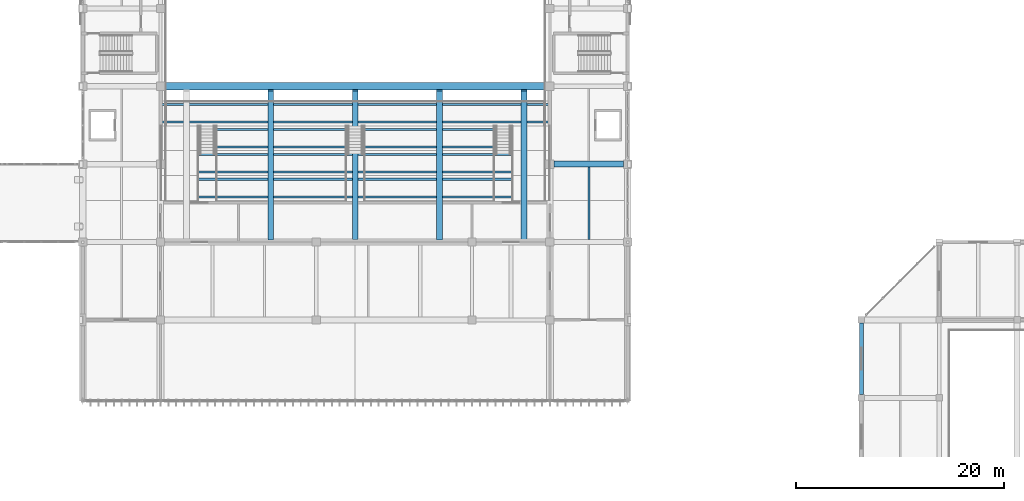
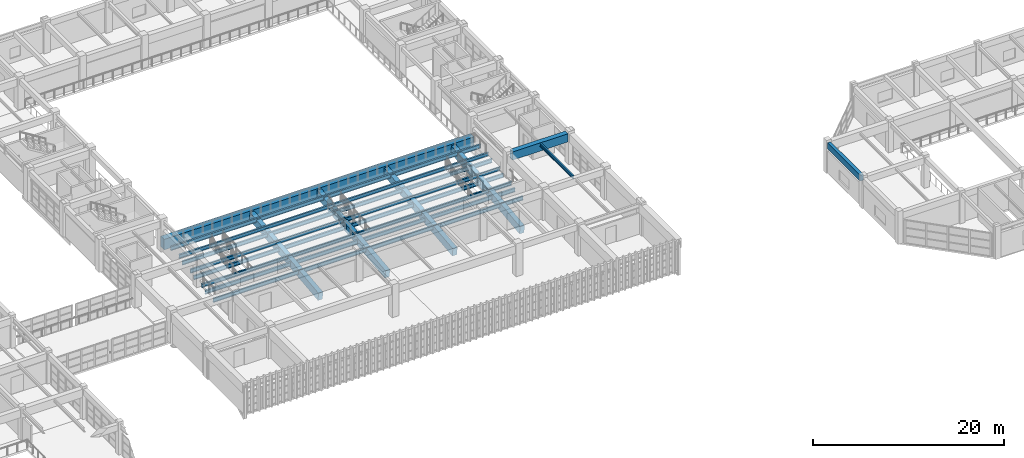
# One storey, part 37 of 124: 16 beams.
"""IFC4 building model written with IfcOpenShell, lengths in metres."""

from ifc_helpers import new_model, si_unit, direction, frame, origin, origin_2d, place, context, subcontext, project, spatial, rectangle, i_section, extrude, material, material_profile, profile_set, type_object, element, save


model = new_model("IFC4")

# Units and contexts
model_context = context("Model", 3, precision=1e-05, world=origin(), true_north=direction((0.0, 1.0)))
body_context = subcontext(model_context, "Body", "Model", "MODEL_VIEW")
ifc_project = project(units=[si_unit("LENGTHUNIT", "METRE"), si_unit("AREAUNIT", "SQUARE_METRE"), si_unit("VOLUMEUNIT", "CUBIC_METRE"), si_unit("PLANEANGLEUNIT", "RADIAN"), si_unit("MASSUNIT", "GRAM", prefix="KILO")], contexts=[model_context])

# Site, building, storey
site_placement = place(None, origin())
site = spatial("IfcSite", under=ifc_project, at=site_placement, CompositionType="ELEMENT")
building_placement = place(site_placement, origin())
building = spatial("IfcBuilding", under=site, at=building_placement, Name="Qasida Concert Hall", CompositionType="ELEMENT")
storey_placement = place(building_placement, frame((0.0, 0.0, 9.0)))
storey = spatial("IfcBuildingStorey", under=building, at=storey_placement, Name="L02", CompositionType="ELEMENT", Elevation=9.0)

# Beams
ifc_material_1 = material(Name="Steel S355J2", Category="steel")
ifc_material_profile_1 = material_profile(ifc_material_1, i_section(OverallWidth=0.199951171875, OverallDepth=0.5, WebThickness=0.01025390625, FlangeThickness=0.01611328125, FilletRadius=0.02099609375, at=origin_2d()), Name="IPE 500")
ifc_profile_set_1 = profile_set([ifc_material_profile_1], Name="Steel S355J2")
beam_type_1 = type_object("IfcBeamType", Name="BM-B4", PredefinedType="BEAM", material=ifc_profile_set_1)
for number, where, z_axis, x_axis, name in (
    (1, (60.0, 34.35009765625, -0.0576171875), (1.0, 0.0, 0.0), (0.0, 1.0, 0.0), "Balcony tier bearer beam TB-L02-1A"),
    (2, (60.0, 36.050048828125, -0.0576171875), (1.0, 0.0, 0.0), (0.0, 1.0, 0.0), "Balcony tier bearer beam TB-L02-1B"),
    (3, (60.0, 36.75, 0.35498046875), (1.0, 0.0, 0.0), (0.0, 1.0, 0.0), "Balcony tier bearer beam TB-L02-2A"),
    (4, (60.0, 38.449951171875, 0.35498046875), (1.0, 0.0, 0.0), (0.0, 1.0, 0.0), "Balcony tier bearer beam TB-L02-2B"),
    (5, (60.0, 39.14990234375, 0.767578125), (1.0, 0.0, 0.0), (0.0, 1.0, 0.0), "Balcony tier bearer beam TB-L02-3A"),
    (6, (60.0, 40.85009765625, 0.767578125), (1.0, 0.0, 0.0), (0.0, 1.0, 0.0), "Balcony tier bearer beam TB-L02-3B"),
    (7, (60.0, 41.550048828125, 1.179931640625), (1.0, 0.0, 0.0), (0.0, 1.0, 0.0), "Balcony tier bearer beam TB-L02-4A"),
    (8, (60.0, 43.25, 1.179931640625), (1.0, 0.0, 0.0), (0.0, 1.0, 0.0), "Balcony tier bearer beam TB-L02-4B"),
):
    element("IfcBeam", number, at=place(storey_placement, frame(where, z_axis=z_axis, x_axis=x_axis)), inside=storey, type_object=beam_type_1, Name=name, PredefinedType="BEAM", context=body_context, shape_type="SweptSolid", body=[
        extrude(i_section(OverallWidth=0.199951171875, OverallDepth=0.5, WebThickness=0.01025390625, FlangeThickness=0.01611328125, FilletRadius=0.02099609375, at=origin_2d()), origin(), (0.0, 0.0, 1.0), 37.5),
    ])
ifc_material_2 = material(Name="Concrete C50/60", Category="concrete")
ifc_material_profile_2 = material_profile(ifc_material_2, rectangle(XDim=0.75, YDim=1.35009765625, at=origin_2d()), Name="RC 750x1350")
ifc_profile_set_2 = profile_set([ifc_material_profile_2], Name="Concrete C50/60")
beam_type_2 = type_object("IfcBeamType", Name="BM-G5", PredefinedType="USERDEFINED", material=ifc_profile_set_2)
beam_1_placement = place(storey_placement, frame((60.0, 45.0, 0.800048828125), z_axis=(1.0, 0.0, 0.0), x_axis=(0.0, 1.0, 0.0)))
element("IfcBeam", 9, at=beam_1_placement, inside=storey, type_object=beam_type_2, Name="Auditorium balcony girder G5-45", ObjectType="GIRDER", PredefinedType="USERDEFINED", context=body_context, shape_type="SweptSolid", body=[
    extrude(rectangle(XDim=0.75, YDim=1.35009765625, at=origin_2d()), origin(), (0.0, 0.0, 1.0), 37.5),
])
ifc_material_profile_3 = material_profile(ifc_material_2, rectangle(XDim=0.580078125, YDim=1.050048828125, at=origin_2d()), Name="RC 580x1050")
ifc_profile_set_3 = profile_set([ifc_material_profile_3], Name="Concrete C50/60")
beam_type_3 = type_object("IfcBeamType", Name="BM-G8", PredefinedType="USERDEFINED", material=ifc_profile_set_3)
beam_2_placement = place(storey_placement, frame((97.89990234375, 37.5, 3.375), z_axis=(1.0, 0.0, 0.0), x_axis=(0.0, 1.0, 0.0)))
element("IfcBeam", 10, at=beam_2_placement, inside=storey, type_object=beam_type_3, Name="Primary girder 1148", ObjectType="GIRDER", PredefinedType="USERDEFINED", context=body_context, shape_type="SweptSolid", body=[
    extrude(rectangle(XDim=0.580078125, YDim=1.050048828125, at=origin_2d()), origin(), (0.0, 0.0, 1.0), 6.7001953125),
])
ifc_material_profile_4 = material_profile(ifc_material_1, i_section(OverallWidth=0.179931640625, OverallDepth=0.39990234375, WebThickness=0.008544921875, FlangeThickness=0.013427734375, FilletRadius=0.02099609375, at=origin_2d()), Name="IPE 400")
ifc_profile_set_4 = profile_set([ifc_material_profile_4], Name="Steel S355J2")
beam_type_4 = type_object("IfcBeamType", Name="BM-J3", PredefinedType="JOIST", material=ifc_profile_set_4)
beam_3_placement = place(storey_placement, frame((101.25, 30.239990234375, 3.699951171875), z_axis=(0.0, 1.0, 0.0), x_axis=(-1.0, 0.0, 0.0)))
element("IfcBeam", 11, at=beam_3_placement, inside=storey, type_object=beam_type_4, Name="L02 secondary joist 1218", PredefinedType="JOIST", context=body_context, shape_type="SweptSolid", body=[
    extrude(i_section(OverallWidth=0.179931640625, OverallDepth=0.39990234375, WebThickness=0.008544921875, FlangeThickness=0.013427734375, FilletRadius=0.02099609375, at=origin_2d()), origin(), (0.0, 0.0, 1.0), 6.969970703125),
])
ifc_material_3 = material(Name="Concrete C40/50", Category="concrete")
ifc_material_profile_5 = material_profile(ifc_material_3, rectangle(XDim=0.550048828125, YDim=1.0, at=origin_2d()), Name="RC 550x1000")
ifc_profile_set_5 = profile_set([ifc_material_profile_5], Name="Concrete C40/50")
beam_type_5 = type_object("IfcBeamType", Name="BM-RK2", PredefinedType="USERDEFINED", material=ifc_profile_set_5)
beam_4_placement = place(storey_placement, frame((70.625, 30.25, -0.780029296875), z_axis=(0.0, 0.993631560832, 0.112677954003), x_axis=(-1.0, 0.0, 0.0)))
element("IfcBeam", 12, at=beam_4_placement, inside=storey, type_object=beam_type_5, Name="Raker beam RK-002", ObjectType="RAKER", PredefinedType="USERDEFINED", context=body_context, shape_type="SweptSolid", body=[
    extrude(rectangle(XDim=0.550048828125, YDim=1.0, at=origin_2d()), origin(), (0.0, 0.0, 1.0), 14.467041015625),
])
beam_5_placement = place(storey_placement, frame((78.75, 30.2900390625, -0.780029296875), z_axis=(0.0, 0.993596277172, 0.112988663102), x_axis=(-1.0, 0.0, 0.0)))
element("IfcBeam", 13, at=beam_5_placement, inside=storey, type_object=beam_type_5, Name="Raker beam RK-003", ObjectType="RAKER", PredefinedType="USERDEFINED", context=body_context, shape_type="SweptSolid", body=[
    extrude(rectangle(XDim=0.550048828125, YDim=1.0, at=origin_2d()), origin(), (0.0, 0.0, 1.0), 14.42724609375),
])
beam_6_placement = place(storey_placement, frame((86.875, 30.239990234375, -0.780029296875), z_axis=(0.0, 0.993640336328, 0.112600541838), x_axis=(-1.0, 0.0, 0.0)))
element("IfcBeam", 14, at=beam_6_placement, inside=storey, type_object=beam_type_5, Name="Raker beam RK-004", ObjectType="RAKER", PredefinedType="USERDEFINED", context=body_context, shape_type="SweptSolid", body=[
    extrude(rectangle(XDim=0.550048828125, YDim=1.0, at=origin_2d()), origin(), (0.0, 0.0, 1.0), 14.47705078125),
])
beam_7_placement = place(storey_placement, frame((95.0, 30.22509765625, -0.780029296875), z_axis=(0.0, 0.993653359129, 0.112485563035), x_axis=(-1.0, 0.0, 0.0)))
element("IfcBeam", 15, at=beam_7_placement, inside=storey, type_object=beam_type_5, Name="Raker beam RK-005", ObjectType="RAKER", PredefinedType="USERDEFINED", context=body_context, shape_type="SweptSolid", body=[
    extrude(rectangle(XDim=0.550048828125, YDim=1.0, at=origin_2d()), origin(), (0.0, 0.0, 1.0), 14.491943359375),
])
ifc_material_profile_6 = material_profile(ifc_material_3, rectangle(XDim=0.39990234375, YDim=0.75, at=origin_2d()), Name="RC 400x750")
ifc_profile_set_6 = profile_set([ifc_material_profile_6], Name="Concrete C40/50")
beam_type_6 = type_object("IfcBeamType", Name="BM-SP1", PredefinedType="SPANDREL", material=ifc_profile_set_6)
beam_8_placement = place(storey_placement, frame((127.5, 15.31005859375, 3.52490234375), z_axis=(0.0, 1.0, 0.0), x_axis=(-1.0, 0.0, 0.0)))
element("IfcBeam", 16, at=beam_8_placement, inside=storey, type_object=beam_type_6, Name="L02 girder 1242", PredefinedType="SPANDREL", context=body_context, shape_type="SweptSolid", body=[
    extrude(rectangle(XDim=0.39990234375, YDim=0.75, at=origin_2d()), origin(), (0.0, 0.0, 1.0), 6.8798828125),
])

save(model, "model.ifc")
